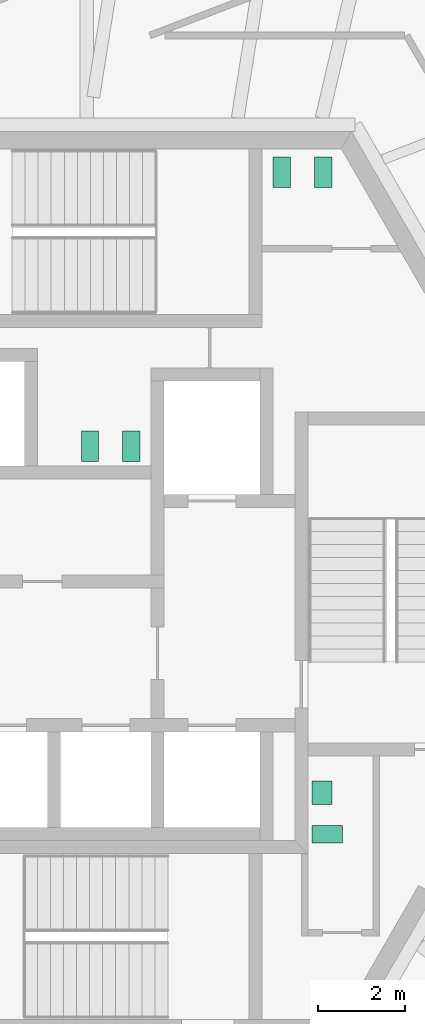
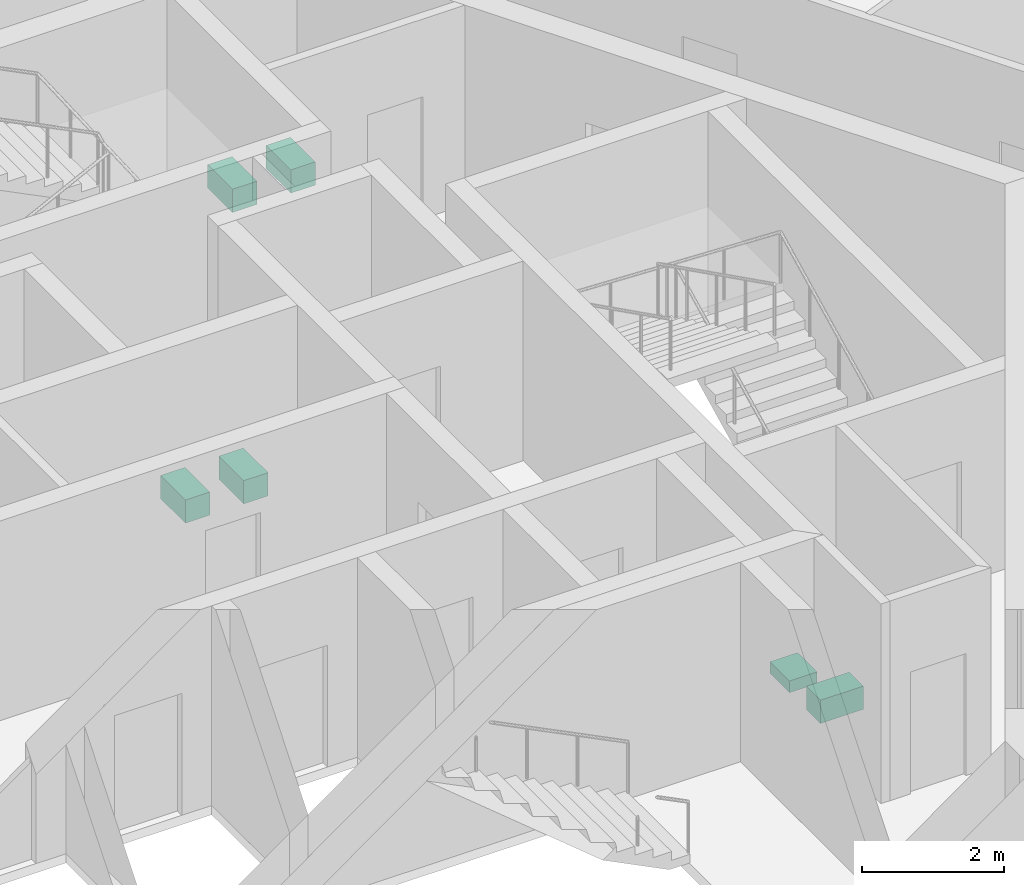
# One storey, part 19 of 21: 6 sanitary terminals.
"""IFC4 building model written with IfcOpenShell, lengths in metres."""

from ifc_helpers import new_model, si_unit, direction, frame, origin, origin_2d, place, context, subcontext, project, spatial, rectangle, extrude, source, transform, mapped, material, element, save


model = new_model("IFC4")

# Units and contexts
model_context = context("Model", 3, precision=1e-05, world=origin(), true_north=direction((0.0, 1.0)))
body_context = subcontext(model_context, "Body", "Model", "MODEL_VIEW")
ifc_project = project(units=[si_unit("LENGTHUNIT", "METRE"), si_unit("AREAUNIT", "SQUARE_METRE"), si_unit("VOLUMEUNIT", "CUBIC_METRE"), si_unit("PLANEANGLEUNIT", "RADIAN"), si_unit("MASSUNIT", "GRAM", prefix="KILO")], contexts=[model_context])

# Site, building, storey
site_placement = place(None, origin())
site = spatial("IfcSite", under=ifc_project, at=site_placement, CompositionType="ELEMENT")
building_placement = place(site_placement, origin())
building = spatial("IfcBuilding", under=site, at=building_placement, Name="Triune Harvest Tower", CompositionType="ELEMENT")
storey_placement = place(building_placement, frame((0.0, 0.0, 160.5)))
storey = spatial("IfcBuildingStorey", under=building, at=storey_placement, Name="L41", CompositionType="ELEMENT", Elevation=160.5)

# Sanitary terminals
ifc_material = material(Name="Vitreous china")
shared_shape_1 = source(origin(), body_context, "Body", "SweptSolid", [
    extrude(rectangle(XDim=0.39990234375, YDim=0.699951171875, at=origin_2d()), origin(), (0.0, 0.0, 1.0), 0.39990234375),
])
for number, where, z_axis, x_axis, name in (
    (1, (4.39990234375, 9.449951171875, 0.0), (0.0, 0.0, 1.0), (1.0, 0.0, 0.0), "Toilet pan L41.c01"),
    (2, (5.35009765625, 9.449951171875, 0.0), (0.0, 0.0, 1.0), (1.0, 0.0, 0.0), "Toilet pan L41.c02"),
    (3, (0.949951171875, 3.159912109375, 0.0), (0.0, 0.0, 1.0), (-1.0, 0.0, 0.0), "Toilet pan L41.c03"),
    (4, (0.0, 3.159912109375, 0.0), (0.0, 0.0, 1.0), (-1.0, 0.0, 0.0), "Toilet pan L41.c04"),
    (5, (5.449951171875, -5.739990234375, 0.0), (0.0, 0.0, 1.0), (0.0, 1.0, 0.0), "Toilet pan L41.c05"),
):
    element("IfcSanitaryTerminal", number, at=place(storey_placement, frame(where, z_axis=z_axis, x_axis=x_axis)), inside=storey, material=ifc_material, Name=name, PredefinedType="TOILETPAN", context=body_context, shape_type="MappedRepresentation", body=[
        mapped(shared_shape_1, transform((0.0, 0.0, 0.0), scale=1.0)),
    ])
shared_shape_2 = source(origin(), body_context, "Body", "SweptSolid", [
    extrude(rectangle(XDim=0.550048828125, YDim=0.449951171875, at=origin_2d()), origin(), (0.0, 0.0, 1.0), 0.199951171875),
])
sanitary_terminal_placement = place(storey_placement, frame((5.324951171875, -4.7900390625, 0.0), z_axis=(0.0, 0.0, 1.0), x_axis=(0.0, 1.0, 0.0)))
element("IfcSanitaryTerminal", 6, at=sanitary_terminal_placement, inside=storey, material=ifc_material, Name="Wash basin L41.c06", PredefinedType="WASHHANDBASIN", context=body_context, shape_type="MappedRepresentation", body=[
    mapped(shared_shape_2, transform((0.0, 0.0, 0.0), scale=1.0)),
])

save(model, "model.ifc")
